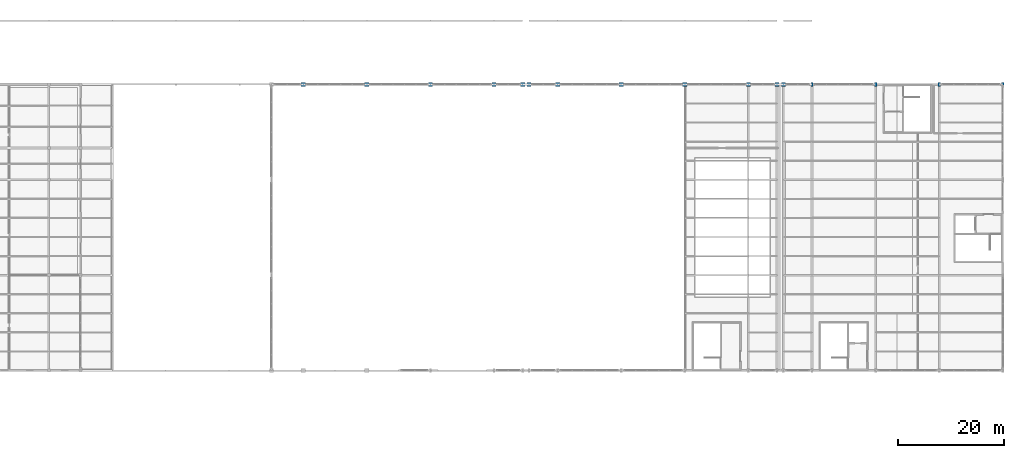
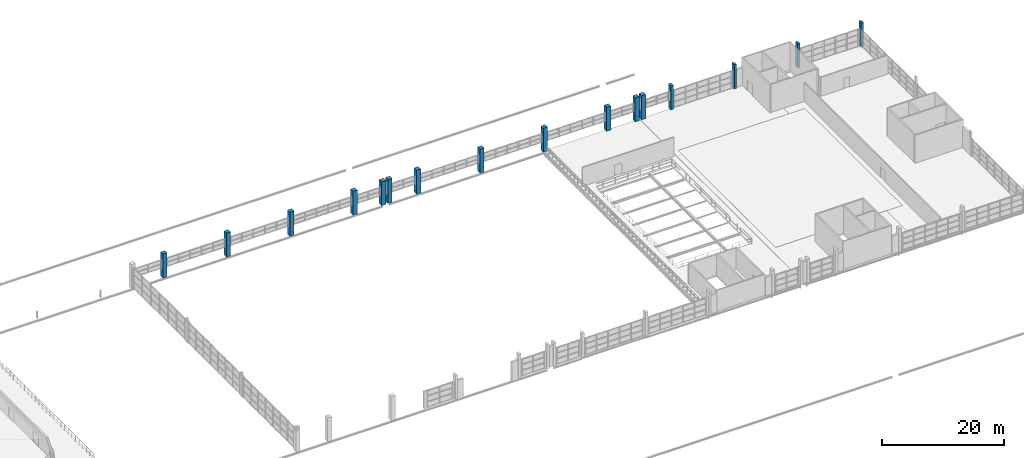
# One storey, part 7 of 86: 16 columns.
"""IFC4 building model written with IfcOpenShell, lengths in metres."""

from ifc_helpers import new_model, si_unit, direction, frame, origin, origin_2d, place, context, subcontext, project, spatial, rectangle, extrude, material, material_profile, profile_set, type_object, element, save


model = new_model("IFC4")

# Units and contexts
model_context = context("Model", 3, precision=1e-05, world=origin(), true_north=direction((0.0, 1.0)))
body_context = subcontext(model_context, "Body", "Model", "MODEL_VIEW")
ifc_project = project(units=[si_unit("LENGTHUNIT", "METRE"), si_unit("AREAUNIT", "SQUARE_METRE"), si_unit("VOLUMEUNIT", "CUBIC_METRE"), si_unit("PLANEANGLEUNIT", "RADIAN"), si_unit("MASSUNIT", "GRAM", prefix="KILO")], contexts=[model_context])

# Site, building, storey
site_placement = place(None, origin())
site = spatial("IfcSite", under=ifc_project, at=site_placement, CompositionType="ELEMENT")
building_placement = place(site_placement, origin())
building = spatial("IfcBuilding", under=site, at=building_placement, Name="Zilviju Railside Exhibition Hall", CompositionType="ELEMENT")
storey_placement = place(building_placement, frame((0.0, 0.0, 12.60009765625)))
storey = spatial("IfcBuildingStorey", under=building, at=storey_placement, Name="L04", CompositionType="ELEMENT", Elevation=12.60009765625)

# Columns
ifc_material = material(Name="Concrete C40/50", Category="concrete")
ifc_material_profile_1 = material_profile(ifc_material, rectangle(XDim=0.800048828125, YDim=0.800048828125, at=origin_2d()), Name="RC COL 800x800")
ifc_profile_set_1 = profile_set([ifc_material_profile_1], Name="Concrete C40/50")
column_type_1 = type_object("IfcColumnType", Name="COL-RC-800", PredefinedType="COLUMN", material=ifc_profile_set_1)
for number, where, z_axis, x_axis, name in (
    (1, (84.0, 138.0, 0.0), (0.0, 0.0, 1.0), (1.0, 0.0, 0.0), "Structural Column L04 (84.0, 138.0)"),
    (2, (96.0, 138.0, 0.0), (0.0, 0.0, 1.0), (1.0, 0.0, 0.0), "Structural Column L04 (96.0, 138.0)"),
    (3, (108.0, 138.0, 0.0), (0.0, 0.0, 1.0), (1.0, 0.0, 0.0), "Structural Column L04 (108.0, 138.0)"),
    (4, (120.0, 138.0, 0.0), (0.0, 0.0, 1.0), (1.0, 0.0, 0.0), "Structural Column L04 (120.0, 138.0)"),
    (5, (125.39990234375, 138.0, 0.0), (0.0, 0.0, 1.0), (1.0, 0.0, 0.0), "Structural Column L04 (125.4, 138.0)"),
    (6, (126.60009765625, 138.0, 0.0), (0.0, 0.0, 1.0), (1.0, 0.0, 0.0), "Structural Column L04 (126.6, 138.0)"),
    (7, (132.0, 138.0, 0.0), (0.0, 0.0, 1.0), (1.0, 0.0, 0.0), "Structural Column L04 (132.0, 138.0)"),
    (8, (144.0, 138.0, 0.0), (0.0, 0.0, 1.0), (1.0, 0.0, 0.0), "Structural Column L04 (144.0, 138.0)"),
    (9, (156.0, 138.0, 0.0), (0.0, 0.0, 1.0), (1.0, 0.0, 0.0), "Structural Column L04 (156.0, 138.0)"),
    (10, (168.0, 138.0, 0.0), (0.0, 0.0, 1.0), (1.0, 0.0, 0.0), "Structural Column L04 (168.0, 138.0)"),
    (11, (173.39990234375, 138.0, 0.0), (0.0, 0.0, 1.0), (1.0, 0.0, 0.0), "Structural Column L04 (173.4, 138.0)"),
    (12, (174.60009765625, 138.0, 0.0), (0.0, 0.0, 1.0), (1.0, 0.0, 0.0), "Structural Column L04 (174.6, 138.0)"),
):
    element("IfcColumn", number, at=place(storey_placement, frame(where, z_axis=z_axis, x_axis=x_axis)), inside=storey, type_object=column_type_1, Name=name, PredefinedType="COLUMN", context=body_context, shape_type="SweptSolid", body=[
        extrude(rectangle(XDim=0.800048828125, YDim=0.800048828125, at=origin_2d()), origin(), (0.0, 0.0, 1.0), 4.7998046875),
    ])
ifc_material_profile_2 = material_profile(ifc_material, rectangle(XDim=0.449951171875, YDim=0.75, at=origin_2d()), Name="RC COL 450x750")
ifc_profile_set_2 = profile_set([ifc_material_profile_2], Name="Concrete C40/50")
column_type_2 = type_object("IfcColumnType", Name="PIL-RC-750x450", PredefinedType="PILASTER", material=ifc_profile_set_2)
for number, where, z_axis, x_axis, name in (
    (13, (180.0, 138.0, 0.0), (0.0, 0.0, 1.0), (1.0, 0.0, 0.0), "Structural Column L04 (180.0, 138.0)"),
    (14, (192.0, 138.0, 0.0), (0.0, 0.0, 1.0), (1.0, 0.0, 0.0), "Structural Column L04 (192.0, 138.0)"),
    (15, (204.0, 138.0, 0.0), (0.0, 0.0, 1.0), (1.0, 0.0, 0.0), "Structural Column L04 (204.0, 138.0)"),
    (16, (216.0, 138.0, 0.0), (0.0, 0.0, 1.0), (1.0, 0.0, 0.0), "Structural Column L04 (216.0, 138.0)"),
):
    element("IfcColumn", number, at=place(storey_placement, frame(where, z_axis=z_axis, x_axis=x_axis)), inside=storey, type_object=column_type_2, Name=name, PredefinedType="PILASTER", context=body_context, shape_type="SweptSolid", body=[
        extrude(rectangle(XDim=0.449951171875, YDim=0.75, at=origin_2d()), origin(), (0.0, 0.0, 1.0), 4.7998046875),
    ])

save(model, "model.ifc")
